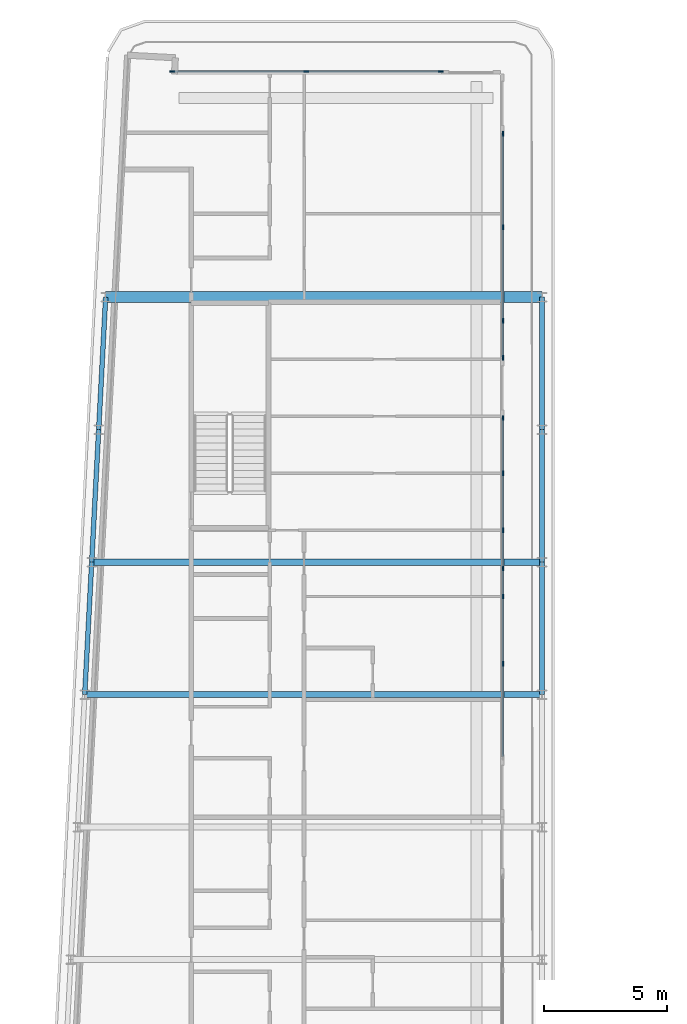
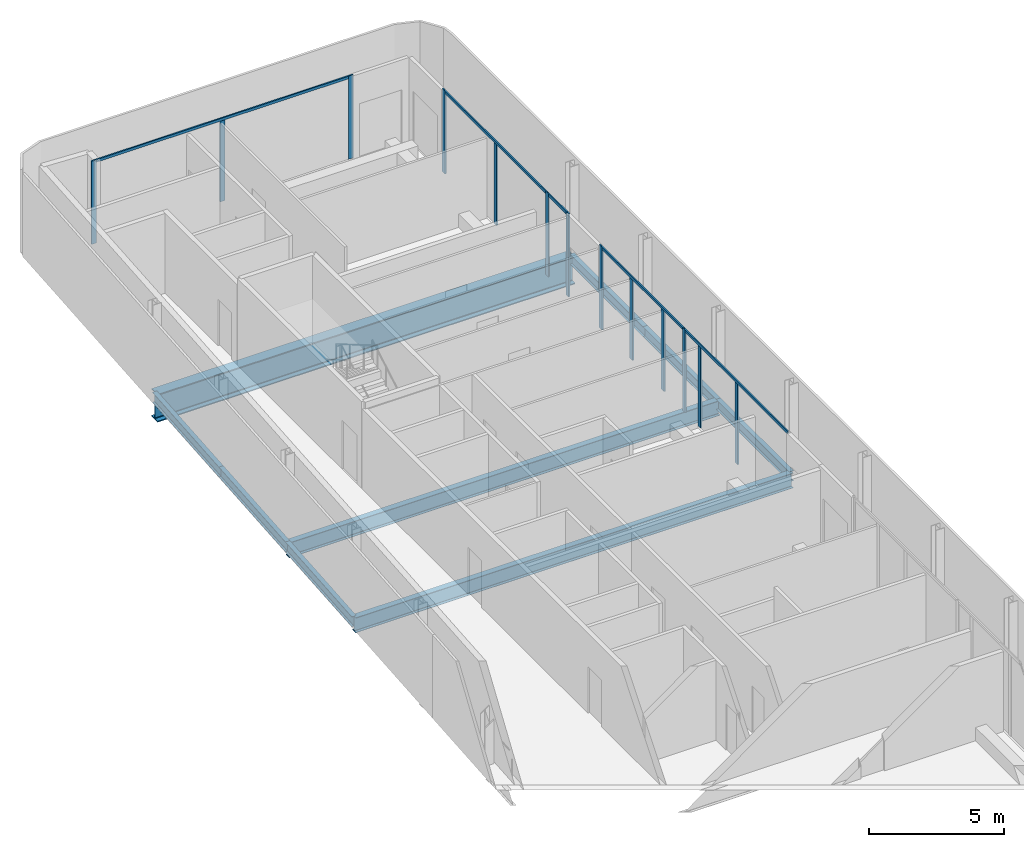
# One storey, part 6 of 18: 18 members, 9 beams, 5 elements without a shape of their own.
"""IFC4 building model written with IfcOpenShell, lengths in metres."""

from ifc_helpers import new_model, si_unit, direction, frame, origin, origin_2d, place, context, subcontext, project, spatial, rectangle, i_section, extrude, material, layer, layer_set, material_profile, profile_set, type_object, element, aggregate, save


model = new_model("IFC4")

# Units and contexts
model_context = context("Model", 3, precision=1e-05, world=origin(), true_north=direction((0.0, 1.0)))
body_context = subcontext(model_context, "Body", "Model", "MODEL_VIEW")
ifc_project = project(units=[si_unit("LENGTHUNIT", "METRE"), si_unit("AREAUNIT", "SQUARE_METRE"), si_unit("VOLUMEUNIT", "CUBIC_METRE"), si_unit("PLANEANGLEUNIT", "RADIAN"), si_unit("MASSUNIT", "GRAM", prefix="KILO")], contexts=[model_context])

# Site, building, storey
site_placement = place(None, origin())
site = spatial("IfcSite", under=ifc_project, at=site_placement, CompositionType="ELEMENT")
building_placement = place(site_placement, origin())
building = spatial("IfcBuilding", under=site, at=building_placement, Name="Kheshtan School and Residences Tower", CompositionType="ELEMENT")
storey_placement = place(building_placement, frame((0.0, 0.0, 373.39990234375)))
storey = spatial("IfcBuildingStorey", under=building, at=storey_placement, Name="L88", CompositionType="ELEMENT", Elevation=373.39990234375)

# Beams
ifc_material_1 = material(Name="Steel ASTM A992 Grade 50", Category="steel")
ifc_material_profile_1 = material_profile(ifc_material_1, i_section(OverallWidth=0.2529296875, OverallDepth=0.677978515625, WebThickness=0.01171875, FlangeThickness=0.016357421875, FilletRadius=0.0146484375, at=origin_2d()), Name="W690x125")
ifc_profile_set_1 = profile_set([ifc_material_profile_1], Name="Steel ASTM A992 Grade 50")
beam_type_1 = type_object("IfcBeamType", Name="Beam FB6 W690x125 ASTM A992 Grade 50", PredefinedType="BEAM", material=ifc_profile_set_1)
beam_1_placement = place(storey_placement, frame((47.60009765625, 78.0, -0.489013671875), z_axis=(-1.0, 0.0, 0.0), x_axis=(0.0, -1.0, 0.0)))
element("IfcBeam", 1, at=beam_1_placement, inside=storey, type_object=beam_type_1, Name="Floor beam C089", PredefinedType="BEAM", context=body_context, shape_type="SweptSolid", body=[
    extrude(i_section(OverallWidth=0.2529296875, OverallDepth=0.677978515625, WebThickness=0.01171875, FlangeThickness=0.016357421875, FilletRadius=0.0146484375, at=origin_2d()), origin(), (0.0, 0.0, 1.0), 18.357177734375),
])
beam_2_placement = place(storey_placement, frame((28.9580078125, 72.60009765625, -0.489013671875), z_axis=(1.0, 0.0, 0.0), x_axis=(0.0, 1.0, 0.0)))
element("IfcBeam", 2, at=beam_2_placement, inside=storey, type_object=beam_type_1, Name="Floor beam C086", PredefinedType="BEAM", context=body_context, shape_type="SweptSolid", body=[
    extrude(i_section(OverallWidth=0.2529296875, OverallDepth=0.677978515625, WebThickness=0.01171875, FlangeThickness=0.016357421875, FilletRadius=0.0146484375, at=origin_2d()), origin(), (0.0, 0.0, 1.0), 18.64208984375),
])
ifc_material_profile_2 = material_profile(ifc_material_1, i_section(OverallWidth=0.18994140625, OverallDepth=0.45703125, WebThickness=0.009033203125, FlangeThickness=0.014404296875, FilletRadius=0.01318359375, at=origin_2d()), Name="W460x74")
ifc_profile_set_2 = profile_set([ifc_material_profile_2], Name="Steel ASTM A992 Grade 50")
beam_type_2 = type_object("IfcBeamType", Name="Beam SP4 W460x74 ASTM A992 Grade 50", PredefinedType="BEAM", material=ifc_profile_set_2)
beam_3_placement = place(storey_placement, frame((47.60009765625, 88.800048828125, -0.37841796875), z_axis=(0.0, -1.0, 0.0), x_axis=(1.0, 0.0, 0.0)))
element("IfcBeam", 3, at=beam_3_placement, inside=storey, type_object=beam_type_2, Name="Spandrel beam C099-C091", PredefinedType="BEAM", context=body_context, shape_type="SweptSolid", body=[
    extrude(i_section(OverallWidth=0.18994140625, OverallDepth=0.45703125, WebThickness=0.009033203125, FlangeThickness=0.014404296875, FilletRadius=0.01318359375, at=origin_2d()), origin(), (0.0, 0.0, 1.0), 5.400146484375),
])
for number, where, z_axis, x_axis, name in (
    (4, (47.60009765625, 83.39990234375, -0.37841796875), (0.0, -1.0, 0.0), (1.0, 0.0, 0.0), "Spandrel beam C091-C089"),
    (5, (47.60009765625, 78.0, -0.37841796875), (0.0, -1.0, 0.0), (1.0, 0.0, 0.0), "Spandrel beam C089-C087"),
):
    element("IfcBeam", number, at=place(storey_placement, frame(where, z_axis=z_axis, x_axis=x_axis)), inside=storey, type_object=beam_type_2, Name=name, PredefinedType="BEAM", context=body_context, shape_type="SweptSolid", body=[
        extrude(i_section(OverallWidth=0.18994140625, OverallDepth=0.45703125, WebThickness=0.009033203125, FlangeThickness=0.014404296875, FilletRadius=0.01318359375, at=origin_2d()), origin(), (0.0, 0.0, 1.0), 5.39990234375),
    ])
for number, where, z_axis, x_axis, name in (
    (6, (28.9580078125, 72.60009765625, -0.37841796875), (0.052689166816, 0.998610961136, 0.0), (-0.998610961136, 0.052689166816, 0.0), "Spandrel beam C086-C088"),
    (7, (29.242919921875, 78.0, -0.37841796875), (0.052554093665, 0.998618078766, 0.0), (-0.998618078766, 0.052554093665, 0.0), "Spandrel beam C088-C090"),
):
    element("IfcBeam", number, at=place(storey_placement, frame(where, z_axis=z_axis, x_axis=x_axis)), inside=storey, type_object=beam_type_2, Name=name, PredefinedType="BEAM", context=body_context, shape_type="SweptSolid", body=[
        extrude(i_section(OverallWidth=0.18994140625, OverallDepth=0.45703125, WebThickness=0.009033203125, FlangeThickness=0.014404296875, FilletRadius=0.01318359375, at=origin_2d()), origin(), (0.0, 0.0, 1.0), 5.407470703125),
    ])
beam_4_placement = place(storey_placement, frame((29.527099609375, 83.39990234375, -0.37841796875), z_axis=(0.05250670125, 0.998620571751, 0.0), x_axis=(-0.998620571751, 0.05250670125, 0.0)))
element("IfcBeam", 8, at=beam_4_placement, inside=storey, type_object=beam_type_2, Name="Spandrel beam C090-C098", PredefinedType="BEAM", context=body_context, shape_type="SweptSolid", body=[
    extrude(i_section(OverallWidth=0.18994140625, OverallDepth=0.45703125, WebThickness=0.009033203125, FlangeThickness=0.014404296875, FilletRadius=0.01318359375, at=origin_2d()), origin(), (0.0, 0.0, 1.0), 5.40771484375),
])

# Curtain wall, members
ifc_material_2 = material(Name="Clear low-e glass in thermally broken aluminium frame", Category="aluminium")
ifc_layer = layer(ifc_material_2, 0.199951171875)
ifc_layer_set = layer_set([ifc_layer], Name="Curtain wall CW-L")
curtain_wall_type = type_object("IfcCurtainWallType", Name="Curtain wall CW-L", PredefinedType="NOTDEFINED", material=ifc_layer_set)
curtain_wall_1_placement = place(storey_placement, origin())
curtain_wall_1 = element("IfcCurtainWall", 9, at=curtain_wall_1_placement, inside=storey, type_object=curtain_wall_type, Name="Curtain wall CWL7", PredefinedType="NOTDEFINED")
ifc_material_3 = material(Name="Thermally broken aluminium, dark bronze anodised", Category="aluminium")
ifc_material_profile_3 = material_profile(ifc_material_3, rectangle(XDim=0.06005859375, YDim=0.199951171875, at=origin_2d()), Name="CW-L mullion 60x200")
ifc_profile_set_3 = profile_set([ifc_material_profile_3], Name="Thermally broken aluminium, dark bronze anodised")
member_type_1 = type_object("IfcMemberType", Name="CW-L mullion 60x200", PredefinedType="MULLION", material=ifc_profile_set_3)
member_1_placement = place(storey_placement, frame((32.52197265625, 98.0, 0.0), z_axis=(0.0, 0.0, 1.0), x_axis=(0.0, 1.0, 0.0)))
member_1 = element("IfcMember", 10, at=member_1_placement, type_object=member_type_1, Name="CWL7 mullion 1", PredefinedType="MULLION", context=body_context, shape_type="SweptSolid", body=[
    extrude(rectangle(XDim=0.06005859375, YDim=0.199951171875, at=origin_2d()), origin(), (0.0, 0.0, 1.0), 3.75),
])
member_2_placement = place(storey_placement, frame((37.99609375, 98.0, 0.0), z_axis=(0.0, 0.0, 1.0), x_axis=(0.0, 1.0, 0.0)))
member_2 = element("IfcMember", 11, at=member_2_placement, type_object=member_type_1, Name="CWL7 mullion 2", PredefinedType="MULLION", context=body_context, shape_type="SweptSolid", body=[
    extrude(rectangle(XDim=0.06005859375, YDim=0.199951171875, at=origin_2d()), origin(), (0.0, 0.0, 1.0), 3.630126953125),
])
member_3_placement = place(storey_placement, frame((43.469970703125, 98.0, 0.0), z_axis=(0.0, 0.0, 1.0), x_axis=(0.0, 1.0, 0.0)))
member_3 = element("IfcMember", 12, at=member_3_placement, type_object=member_type_1, Name="CWL7 mullion 3", PredefinedType="MULLION", context=body_context, shape_type="SweptSolid", body=[
    extrude(rectangle(XDim=0.06005859375, YDim=0.199951171875, at=origin_2d()), origin(), (0.0, 0.0, 1.0), 3.75),
])

curtain_wall_2_placement = place(storey_placement, origin())
curtain_wall_2 = element("IfcCurtainWall", 13, at=curtain_wall_2_placement, inside=storey, type_object=curtain_wall_type, Name="Curtain wall CWL8", PredefinedType="NOTDEFINED")
member_4_placement = place(storey_placement, frame((46.0, 95.469970703125, 0.0), z_axis=(0.0, 0.0, 1.0), x_axis=(1.0, 0.0, 0.0)))
member_4 = element("IfcMember", 14, at=member_4_placement, type_object=member_type_1, Name="CWL8 mullion 1", PredefinedType="MULLION", context=body_context, shape_type="SweptSolid", body=[
    extrude(rectangle(XDim=0.06005859375, YDim=0.199951171875, at=origin_2d()), origin(), (0.0, 0.0, 1.0), 3.75),
])
member_5_placement = place(storey_placement, frame((46.0, 91.653076171875, 0.0), z_axis=(0.0, 0.0, 1.0), x_axis=(1.0, 0.0, 0.0)))
member_5 = element("IfcMember", 15, at=member_5_placement, type_object=member_type_1, Name="CWL8 mullion 2", PredefinedType="MULLION", context=body_context, shape_type="SweptSolid", body=[
    extrude(rectangle(XDim=0.06005859375, YDim=0.199951171875, at=origin_2d()), origin(), (0.0, 0.0, 1.0), 3.630126953125),
])
member_6_placement = place(storey_placement, frame((46.0, 87.8359375, 0.0), z_axis=(0.0, 0.0, 1.0), x_axis=(1.0, 0.0, 0.0)))
member_6 = element("IfcMember", 16, at=member_6_placement, type_object=member_type_1, Name="CWL8 mullion 3", PredefinedType="MULLION", context=body_context, shape_type="SweptSolid", body=[
    extrude(rectangle(XDim=0.06005859375, YDim=0.199951171875, at=origin_2d()), origin(), (0.0, 0.0, 1.0), 3.75),
])

# Curtain wall, member
curtain_wall_3_placement = place(storey_placement, origin())
curtain_wall_3 = element("IfcCurtainWall", 17, at=curtain_wall_3_placement, inside=storey, type_object=curtain_wall_type, Name="Curtain wall CWL8a", PredefinedType="NOTDEFINED")
member_7_placement = place(storey_placement, frame((46.0, 86.3359375, 0.0), z_axis=(0.0, 0.0, 1.0), x_axis=(1.0, 0.0, 0.0)))
member_7 = element("IfcMember", 18, at=member_7_placement, type_object=member_type_1, Name="CWL8a mullion 2", PredefinedType="MULLION", context=body_context, shape_type="SweptSolid", body=[
    extrude(rectangle(XDim=0.06005859375, YDim=0.199951171875, at=origin_2d()), origin(), (0.0, 0.0, 1.0), 3.75),
])

# Curtain wall, members
curtain_wall_4_placement = place(storey_placement, origin())
curtain_wall_4 = element("IfcCurtainWall", 19, at=curtain_wall_4_placement, inside=storey, type_object=curtain_wall_type, Name="Curtain wall CWL8b", PredefinedType="NOTDEFINED")
member_8_placement = place(storey_placement, frame((46.0, 83.8759765625, 0.0), z_axis=(0.0, 0.0, 1.0), x_axis=(1.0, 0.0, 0.0)))
member_8 = element("IfcMember", 20, at=member_8_placement, type_object=member_type_1, Name="CWL8b mullion 1", PredefinedType="MULLION", context=body_context, shape_type="SweptSolid", body=[
    extrude(rectangle(XDim=0.06005859375, YDim=0.199951171875, at=origin_2d()), origin(), (0.0, 0.0, 1.0), 3.75),
])
member_9_placement = place(storey_placement, frame((46.0, 81.625, 0.0), z_axis=(0.0, 0.0, 1.0), x_axis=(1.0, 0.0, 0.0)))
member_9 = element("IfcMember", 21, at=member_9_placement, type_object=member_type_1, Name="CWL8b mullion 2", PredefinedType="MULLION", context=body_context, shape_type="SweptSolid", body=[
    extrude(rectangle(XDim=0.06005859375, YDim=0.199951171875, at=origin_2d()), origin(), (0.0, 0.0, 1.0), 3.630126953125),
])
member_10_placement = place(storey_placement, frame((46.0, 79.300048828125, 0.0), z_axis=(0.0, 0.0, 1.0), x_axis=(1.0, 0.0, 0.0)))
member_10 = element("IfcMember", 22, at=member_10_placement, type_object=member_type_1, Name="CWL8b mullion 3", PredefinedType="MULLION", context=body_context, shape_type="SweptSolid", body=[
    extrude(rectangle(XDim=0.06005859375, YDim=0.199951171875, at=origin_2d()), origin(), (0.0, 0.0, 1.0), 3.630126953125),
])
member_11_placement = place(storey_placement, frame((46.0, 77.741943359375, 0.0), z_axis=(0.0, 0.0, 1.0), x_axis=(1.0, 0.0, 0.0)))
member_11 = element("IfcMember", 23, at=member_11_placement, type_object=member_type_1, Name="CWL8b mullion 4", PredefinedType="MULLION", context=body_context, shape_type="SweptSolid", body=[
    extrude(rectangle(XDim=0.06005859375, YDim=0.199951171875, at=origin_2d()), origin(), (0.0, 0.0, 1.0), 3.75),
])

curtain_wall_5_placement = place(storey_placement, origin())
curtain_wall_5 = element("IfcCurtainWall", 24, at=curtain_wall_5_placement, inside=storey, type_object=curtain_wall_type, Name="Curtain wall CWL8c", PredefinedType="NOTDEFINED")
member_12_placement = place(storey_placement, frame((46.0, 76.60009765625, 0.0), z_axis=(0.0, 0.0, 1.0), x_axis=(1.0, 0.0, 0.0)))
member_12 = element("IfcMember", 25, at=member_12_placement, type_object=member_type_1, Name="CWL8c mullion 2", PredefinedType="MULLION", context=body_context, shape_type="SweptSolid", body=[
    extrude(rectangle(XDim=0.06005859375, YDim=0.199951171875, at=origin_2d()), origin(), (0.0, 0.0, 1.0), 3.630126953125),
])
member_13_placement = place(storey_placement, frame((46.0, 73.864990234375, 0.0), z_axis=(0.0, 0.0, 1.0), x_axis=(1.0, 0.0, 0.0)))
member_13 = element("IfcMember", 26, at=member_13_placement, type_object=member_type_1, Name="CWL8c mullion 3", PredefinedType="MULLION", context=body_context, shape_type="SweptSolid", body=[
    extrude(rectangle(XDim=0.06005859375, YDim=0.199951171875, at=origin_2d()), origin(), (0.0, 0.0, 1.0), 3.630126953125),
])

# Member
ifc_material_profile_4 = material_profile(ifc_material_3, rectangle(XDim=0.06005859375, YDim=0.1201171875, at=origin_2d()), Name="CW-L transom 60x120")
ifc_profile_set_4 = profile_set([ifc_material_profile_4], Name="Thermally broken aluminium, dark bronze anodised")
member_type_2 = type_object("IfcMemberType", Name="CW-L transom 60x120", PredefinedType="USERDEFINED", material=ifc_profile_set_4)
member_14_placement = place(storey_placement, frame((32.552001953125, 98.0, 3.690185546875), z_axis=(1.0, 0.0, 0.0), x_axis=(0.0, 1.0, 0.0)))
member_14 = element("IfcMember", 27, at=member_14_placement, type_object=member_type_2, Name="CWL7 transom 1", ObjectType="TRANSOM", PredefinedType="USERDEFINED", context=body_context, shape_type="SweptSolid", body=[
    extrude(rectangle(XDim=0.06005859375, YDim=0.1201171875, at=origin_2d()), origin(), (0.0, 0.0, 1.0), 10.887939453125),
])

aggregate(curtain_wall_1, [member_1, member_2, member_3, member_14])

member_15_placement = place(storey_placement, frame((46.0, 95.43994140625, 3.690185546875), z_axis=(0.0, -1.0, 0.0), x_axis=(1.0, 0.0, 0.0)))
member_15 = element("IfcMember", 28, at=member_15_placement, type_object=member_type_2, Name="CWL8 transom 1", ObjectType="TRANSOM", PredefinedType="USERDEFINED", context=body_context, shape_type="SweptSolid", body=[
    extrude(rectangle(XDim=0.06005859375, YDim=0.1201171875, at=origin_2d()), origin(), (0.0, 0.0, 1.0), 7.573974609375),
])

aggregate(curtain_wall_2, [member_4, member_5, member_6, member_15])

member_16_placement = place(storey_placement, frame((46.0, 87.805908203125, 3.690185546875), z_axis=(0.0, -1.0, 0.0), x_axis=(1.0, 0.0, 0.0)))
member_16 = element("IfcMember", 29, at=member_16_placement, type_object=member_type_2, Name="CWL8a transom 1", ObjectType="TRANSOM", PredefinedType="USERDEFINED", context=body_context, shape_type="SweptSolid", body=[
    extrude(rectangle(XDim=0.06005859375, YDim=0.1201171875, at=origin_2d()), origin(), (0.0, 0.0, 1.0), 1.43994140625),
])

aggregate(curtain_wall_3, [member_7, member_16])

member_17_placement = place(storey_placement, frame((46.0, 83.845947265625, 3.690185546875), z_axis=(0.0, -1.0, 0.0), x_axis=(1.0, 0.0, 0.0)))
member_17 = element("IfcMember", 30, at=member_17_placement, type_object=member_type_2, Name="CWL8b transom 1", ObjectType="TRANSOM", PredefinedType="USERDEFINED", context=body_context, shape_type="SweptSolid", body=[
    extrude(rectangle(XDim=0.06005859375, YDim=0.1201171875, at=origin_2d()), origin(), (0.0, 0.0, 1.0), 6.073974609375),
])

aggregate(curtain_wall_4, [member_8, member_9, member_10, member_11, member_17])

member_18_placement = place(storey_placement, frame((46.0, 77.7119140625, 3.690185546875), z_axis=(0.0, -1.0, 0.0), x_axis=(1.0, 0.0, 0.0)))
member_18 = element("IfcMember", 31, at=member_18_placement, type_object=member_type_2, Name="CWL8c transom 1", ObjectType="TRANSOM", PredefinedType="USERDEFINED", context=body_context, shape_type="SweptSolid", body=[
    extrude(rectangle(XDim=0.06005859375, YDim=0.1201171875, at=origin_2d()), origin(), (0.0, 0.0, 1.0), 7.634033203125),
])

aggregate(curtain_wall_5, [member_12, member_13, member_18])

# Beam
ifc_material_profile_5 = material_profile(ifc_material_1, i_section(OverallWidth=0.449951171875, OverallDepth=1.25, WebThickness=0.02490234375, FlangeThickness=0.044921875, FilletRadius=0.03759765625, at=origin_2d()), Name="WWF1250x546")
ifc_profile_set_5 = profile_set([ifc_material_profile_5], Name="Steel ASTM A992 Grade 50")
beam_type_3 = type_object("IfcBeamType", Name="Transfer girder TG4 WWF1250x546 ASTM A992 Grade 50", PredefinedType="BEAM", material=ifc_profile_set_5)
beam_5_placement = place(storey_placement, frame((29.81103515625, 88.800048828125, -0.77490234375), z_axis=(1.0, 0.0, 0.0), x_axis=(0.0, 1.0, 0.0)))
element("IfcBeam", 32, at=beam_5_placement, inside=storey, type_object=beam_type_3, Name="Transfer girder C098-C099", PredefinedType="BEAM", context=body_context, shape_type="SweptSolid", body=[
    extrude(i_section(OverallWidth=0.449951171875, OverallDepth=1.25, WebThickness=0.02490234375, FlangeThickness=0.044921875, FilletRadius=0.03759765625, at=origin_2d()), origin(), (0.0, 0.0, 1.0), 17.7890625),
])

save(model, "model.ifc")
